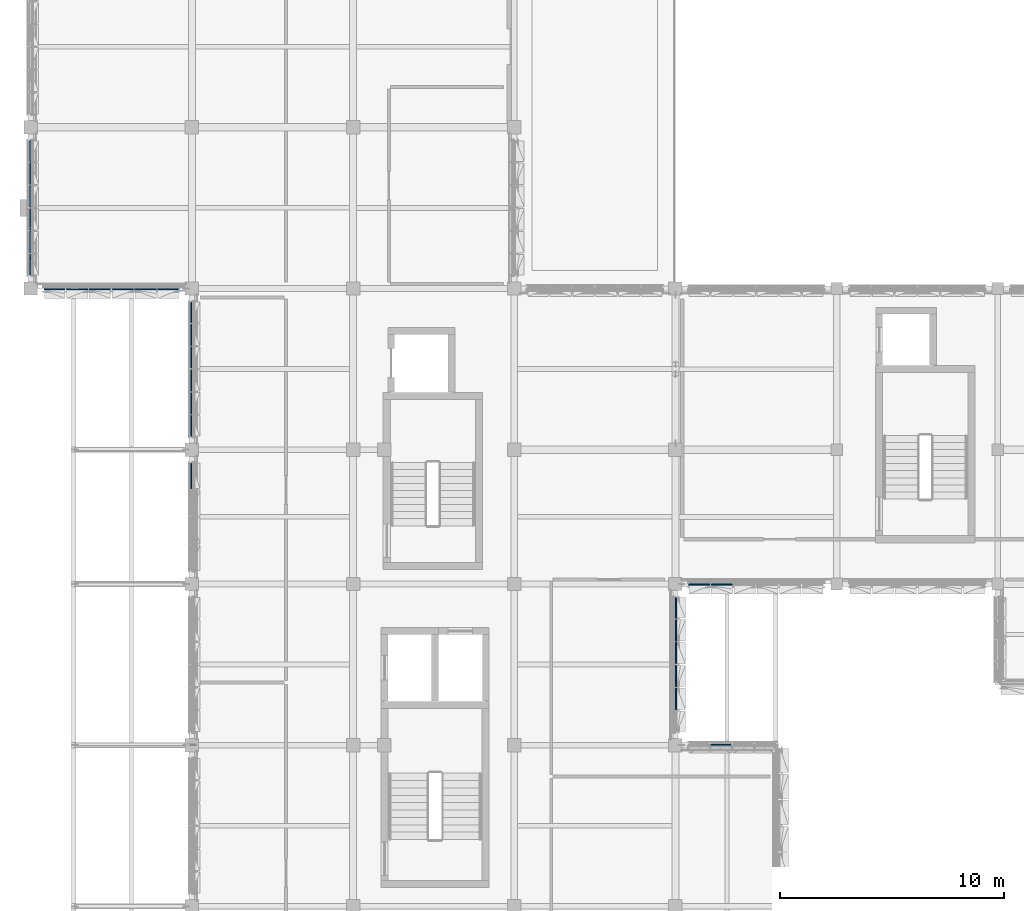
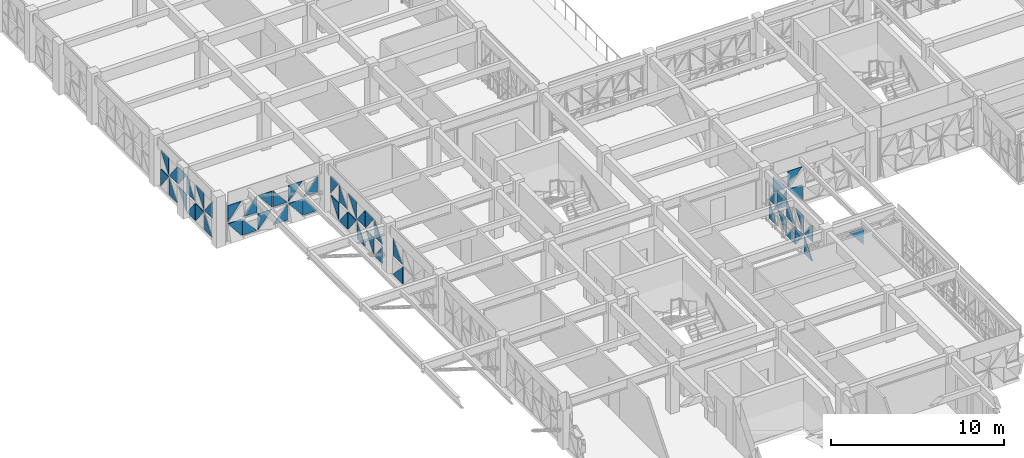
# One storey, part 36 of 99: 53 plates, 7 elements without a shape of their own.
"""IFC4 building model written with IfcOpenShell, lengths in metres."""

from ifc_helpers import new_model, si_unit, direction, frame, origin, place, context, subcontext, project, spatial, polyline, outline, extrude, material, layer, layer_set, type_object, element, aggregate, save


model = new_model("IFC4")

# Units and contexts
model_context = context("Model", 3, precision=1e-05, world=origin(), true_north=direction((0.0, 1.0)))
body_context = subcontext(model_context, "Body", "Model", "MODEL_VIEW")
ifc_project = project(units=[si_unit("LENGTHUNIT", "METRE"), si_unit("AREAUNIT", "SQUARE_METRE"), si_unit("VOLUMEUNIT", "CUBIC_METRE"), si_unit("PLANEANGLEUNIT", "RADIAN"), si_unit("MASSUNIT", "GRAM", prefix="KILO")], contexts=[model_context])

# Site, building, storey
site_placement = place(None, origin())
site = spatial("IfcSite", under=ifc_project, at=site_placement, CompositionType="ELEMENT")
building_placement = place(site_placement, origin())
building = spatial("IfcBuilding", under=site, at=building_placement, Name="Alvorim Cloister Faculty of Sciences", CompositionType="ELEMENT")
storey_placement = place(building_placement, frame((0.0, 0.0, 12.14990234375)))
storey = spatial("IfcBuildingStorey", under=building, at=storey_placement, Name="L03", CompositionType="ELEMENT", Elevation=12.14990234375)

# Curtain wall, plates
ifc_material_1 = material(Name="Aluminium and Low-E Glass Curtain Wall", Category="aluminium")
curtain_wall_type_1 = type_object("IfcCurtainWallType", Name="CW-TRI-4920x2850", PredefinedType="USERDEFINED", material=ifc_material_1)
curtain_wall_1_placement = place(storey_placement, origin())
curtain_wall_1 = element("IfcCurtainWall", 1, at=curtain_wall_1_placement, inside=storey, type_object=curtain_wall_type_1, Name="L03 Diagonal Cassette Curtain Wall CW-0103", ObjectType="UNITISED CURTAIN WALL", PredefinedType="USERDEFINED")
ifc_material_2 = material(Name="Double Low-E Laminated Glass", Category="glass")
ifc_layer = layer(ifc_material_2, 0.0400390625)
ifc_layer_set = layer_set([ifc_layer], Name="Double Low-E Laminated Glass")
plate_type = type_object("IfcPlateType", Name="PN-GLZ-40", PredefinedType="CURTAIN_PANEL", material=ifc_layer_set)
plate_1_placement = place(storey_placement, frame((7.175048828125, 47.46240234375, 0.14013671875), z_axis=(0.0, 0.0, 1.0), x_axis=(0.0, 1.0, 0.0)))
plate_1 = element("IfcPlate", 2, at=plate_1_placement, type_object=plate_type, Name="Diagonal Glazed Triangle TRI-BL", PredefinedType="CURTAIN_PANEL", context=body_context, shape_type="SweptSolid", body=[
    extrude(outline(polyline([(0.0, 0.0), (1.130615234375, 0.0), (0.0, 1.212890625), (0.0, 0.0)])), frame((0.0, 0.02490234375, 0.0), z_axis=(0.0, -1.0, 0.0), x_axis=(1.0, 0.0, 0.0)), (0.0, 0.0, 1.0), 0.050048828125),
])
plate_2_placement = place(storey_placement, frame((7.175048828125, 47.46240234375, 1.4951171875), z_axis=(0.0, 0.0, 1.0), x_axis=(0.0, 1.0, 0.0)))
plate_2 = element("IfcPlate", 3, at=plate_2_placement, type_object=plate_type, Name="Diagonal Glazed Triangle TRI-BR", PredefinedType="CURTAIN_PANEL", context=body_context, shape_type="SweptSolid", body=[
    extrude(outline(polyline([(0.001953125, 0.0), (1.132568359375, 0.0), (1.132568359375, 1.213134765625), (0.001953125, 0.0)])), frame((0.0, 0.02490234375, 0.0), z_axis=(0.0, -1.0, 0.0), x_axis=(1.0, 0.0, 0.0)), (0.0, 0.0, 1.0), 0.050048828125),
])
aggregate(curtain_wall_1, [plate_1, plate_2])

curtain_wall_type_2 = type_object("IfcCurtainWallType", Name="CW-TRI-6120x2850", PredefinedType="USERDEFINED", material=ifc_material_1)
curtain_wall_2_placement = place(storey_placement, origin())
curtain_wall_2 = element("IfcCurtainWall", 4, at=curtain_wall_2_placement, inside=storey, type_object=curtain_wall_type_2, Name="L03 Diagonal Cassette Curtain Wall CW-0104", ObjectType="UNITISED CURTAIN WALL", PredefinedType="USERDEFINED")
plate_3_placement = place(storey_placement, frame((7.175048828125, 49.804931640625, 0.14013671875), z_axis=(0.0, 0.0, 1.0), x_axis=(0.0, 1.0, 0.0)))
plate_3 = element("IfcPlate", 5, at=plate_3_placement, type_object=plate_type, Name="Diagonal Glazed Triangle TRI-BL", PredefinedType="CURTAIN_PANEL", context=body_context, shape_type="SweptSolid", body=[
    extrude(outline(polyline([(0.0, 0.0), (0.920654296875, 0.0), (0.0, 1.212890625), (0.0, 0.0)])), frame((0.0, 0.02490234375, 0.0), z_axis=(0.0, -1.0, 0.0), x_axis=(1.0, 0.0, 0.0)), (0.0, 0.0, 1.0), 0.050048828125),
])
plate_4_placement = place(storey_placement, frame((7.175048828125, 49.804931640625, 1.4951171875), z_axis=(0.0, 0.0, 1.0), x_axis=(0.0, 1.0, 0.0)))
plate_4 = element("IfcPlate", 6, at=plate_4_placement, type_object=plate_type, Name="Diagonal Glazed Triangle TRI-BR", PredefinedType="CURTAIN_PANEL", context=body_context, shape_type="SweptSolid", body=[
    extrude(outline(polyline([(0.001953125, 0.0), (0.922607421875, 0.0), (0.922607421875, 1.213134765625), (0.001953125, 0.0)])), frame((0.0, 0.02490234375, 0.0), z_axis=(0.0, -1.0, 0.0), x_axis=(1.0, 0.0, 0.0)), (0.0, 0.0, 1.0), 0.050048828125),
])
plate_5_placement = place(storey_placement, frame((7.175048828125, 50.79248046875, 0.14013671875), z_axis=(0.0, 0.0, 1.0), x_axis=(0.0, 1.0, 0.0)))
plate_5 = element("IfcPlate", 7, at=plate_5_placement, type_object=plate_type, Name="Diagonal Glazed Triangle TRI-TL", PredefinedType="CURTAIN_PANEL", context=body_context, shape_type="SweptSolid", body=[
    extrude(outline(polyline([(0.953125, 1.21484375), (0.0, 1.21484375), (0.0, 0.001953125), (0.953125, 1.21484375)])), frame((0.0, 0.02490234375, 0.0), z_axis=(0.0, -1.0, 0.0), x_axis=(1.0, 0.0, 0.0)), (0.0, 0.0, 1.0), 0.050048828125),
])
plate_6_placement = place(storey_placement, frame((7.175048828125, 50.79248046875, 1.4951171875), z_axis=(0.0, 0.0, 1.0), x_axis=(0.0, 1.0, 0.0)))
plate_6 = element("IfcPlate", 8, at=plate_6_placement, type_object=plate_type, Name="Diagonal Glazed Triangle TRI-TR", PredefinedType="CURTAIN_PANEL", context=body_context, shape_type="SweptSolid", body=[
    extrude(outline(polyline([(0.955078125, 0.001953125), (0.955078125, 1.215087890625), (0.001953125, 1.215087890625), (0.955078125, 0.001953125)])), frame((0.0, 0.02490234375, 0.0), z_axis=(0.0, -1.0, 0.0), x_axis=(1.0, 0.0, 0.0)), (0.0, 0.0, 1.0), 0.050048828125),
])
plate_7_placement = place(storey_placement, frame((7.175048828125, 51.8125, 0.14013671875), z_axis=(0.0, 0.0, 1.0), x_axis=(0.0, 1.0, 0.0)))
plate_7 = element("IfcPlate", 9, at=plate_7_placement, type_object=plate_type, Name="Diagonal Glazed Triangle TRI-BR", PredefinedType="CURTAIN_PANEL", context=body_context, shape_type="SweptSolid", body=[
    extrude(outline(polyline([(0.001953125, 0.0), (0.955078125, 0.0), (0.955078125, 1.212890625), (0.001953125, 0.0)])), frame((0.0, 0.02490234375, 0.0), z_axis=(0.0, -1.0, 0.0), x_axis=(1.0, 0.0, 0.0)), (0.0, 0.0, 1.0), 0.050048828125),
])
plate_8_placement = place(storey_placement, frame((7.175048828125, 51.8125, 1.4951171875), z_axis=(0.0, 0.0, 1.0), x_axis=(0.0, 1.0, 0.0)))
plate_8 = element("IfcPlate", 10, at=plate_8_placement, type_object=plate_type, Name="Diagonal Glazed Triangle TRI-BL", PredefinedType="CURTAIN_PANEL", context=body_context, shape_type="SweptSolid", body=[
    extrude(outline(polyline([(0.0, 0.0), (0.953125, 0.0), (0.0, 1.213134765625), (0.0, 0.0)])), frame((0.0, 0.02490234375, 0.0), z_axis=(0.0, -1.0, 0.0), x_axis=(1.0, 0.0, 0.0)), (0.0, 0.0, 1.0), 0.050048828125),
])
plate_9_placement = place(storey_placement, frame((7.175048828125, 52.83251953125, 0.14013671875), z_axis=(0.0, 0.0, 1.0), x_axis=(0.0, 1.0, 0.0)))
plate_9 = element("IfcPlate", 11, at=plate_9_placement, type_object=plate_type, Name="Diagonal Glazed Triangle TRI-TR", PredefinedType="CURTAIN_PANEL", context=body_context, shape_type="SweptSolid", body=[
    extrude(outline(polyline([(0.955078125, 0.001953125), (0.955078125, 1.21484375), (0.001953125, 1.21484375), (0.955078125, 0.001953125)])), frame((0.0, 0.02490234375, 0.0), z_axis=(0.0, -1.0, 0.0), x_axis=(1.0, 0.0, 0.0)), (0.0, 0.0, 1.0), 0.050048828125),
])
plate_10_placement = place(storey_placement, frame((7.175048828125, 52.83251953125, 1.4951171875), z_axis=(0.0, 0.0, 1.0), x_axis=(0.0, 1.0, 0.0)))
plate_10 = element("IfcPlate", 12, at=plate_10_placement, type_object=plate_type, Name="Diagonal Glazed Triangle TRI-TL", PredefinedType="CURTAIN_PANEL", context=body_context, shape_type="SweptSolid", body=[
    extrude(outline(polyline([(0.953125, 1.215087890625), (0.0, 1.215087890625), (0.0, 0.001953125), (0.953125, 1.215087890625)])), frame((0.0, 0.02490234375, 0.0), z_axis=(0.0, -1.0, 0.0), x_axis=(1.0, 0.0, 0.0)), (0.0, 0.0, 1.0), 0.050048828125),
])
plate_11_placement = place(storey_placement, frame((7.175048828125, 53.8525390625, 0.14013671875), z_axis=(0.0, 0.0, 1.0), x_axis=(0.0, 1.0, 0.0)))
plate_11 = element("IfcPlate", 13, at=plate_11_placement, type_object=plate_type, Name="Diagonal Glazed Triangle TRI-BL", PredefinedType="CURTAIN_PANEL", context=body_context, shape_type="SweptSolid", body=[
    extrude(outline(polyline([(0.0, 0.0), (0.953125, 0.0), (0.0, 1.212890625), (0.0, 0.0)])), frame((0.0, 0.02490234375, 0.0), z_axis=(0.0, -1.0, 0.0), x_axis=(1.0, 0.0, 0.0)), (0.0, 0.0, 1.0), 0.050048828125),
])
plate_12_placement = place(storey_placement, frame((7.175048828125, 53.8525390625, 1.4951171875), z_axis=(0.0, 0.0, 1.0), x_axis=(0.0, 1.0, 0.0)))
plate_12 = element("IfcPlate", 14, at=plate_12_placement, type_object=plate_type, Name="Diagonal Glazed Triangle TRI-BR", PredefinedType="CURTAIN_PANEL", context=body_context, shape_type="SweptSolid", body=[
    extrude(outline(polyline([(0.001953125, 0.0), (0.955078125, 0.0), (0.955078125, 1.213134765625), (0.001953125, 0.0)])), frame((0.0, 0.02490234375, 0.0), z_axis=(0.0, -1.0, 0.0), x_axis=(1.0, 0.0, 0.0)), (0.0, 0.0, 1.0), 0.050048828125),
])
plate_13_placement = place(storey_placement, frame((7.175048828125, 54.87255859375, 0.14013671875), z_axis=(0.0, 0.0, 1.0), x_axis=(0.0, 1.0, 0.0)))
plate_13 = element("IfcPlate", 15, at=plate_13_placement, type_object=plate_type, Name="Diagonal Glazed Triangle TRI-TL", PredefinedType="CURTAIN_PANEL", context=body_context, shape_type="SweptSolid", body=[
    extrude(outline(polyline([(0.920654296875, 1.21484375), (0.0, 1.21484375), (0.0, 0.001953125), (0.920654296875, 1.21484375)])), frame((0.0, 0.02490234375, 0.0), z_axis=(0.0, -1.0, 0.0), x_axis=(1.0, 0.0, 0.0)), (0.0, 0.0, 1.0), 0.050048828125),
])
plate_14_placement = place(storey_placement, frame((7.175048828125, 54.87255859375, 1.4951171875), z_axis=(0.0, 0.0, 1.0), x_axis=(0.0, 1.0, 0.0)))
plate_14 = element("IfcPlate", 16, at=plate_14_placement, type_object=plate_type, Name="Diagonal Glazed Triangle TRI-TR", PredefinedType="CURTAIN_PANEL", context=body_context, shape_type="SweptSolid", body=[
    extrude(outline(polyline([(0.922607421875, 0.001953125), (0.922607421875, 1.215087890625), (0.001953125, 1.215087890625), (0.922607421875, 0.001953125)])), frame((0.0, 0.02490234375, 0.0), z_axis=(0.0, -1.0, 0.0), x_axis=(1.0, 0.0, 0.0)), (0.0, 0.0, 1.0), 0.050048828125),
])
aggregate(curtain_wall_2, [plate_3, plate_4, plate_5, plate_6, plate_7, plate_8, plate_9, plate_10, plate_11, plate_12, plate_13, plate_14])

curtain_wall_type_3 = type_object("IfcCurtainWallType", Name="CW-TRI-6120x2706", PredefinedType="USERDEFINED", material=ifc_material_1)
curtain_wall_3_placement = place(storey_placement, origin())
curtain_wall_3 = element("IfcCurtainWall", 17, at=curtain_wall_3_placement, inside=storey, type_object=curtain_wall_type_3, Name="L03 Diagonal Cassette Curtain Wall CW-0105", ObjectType="UNITISED CURTAIN WALL", PredefinedType="USERDEFINED")
plate_15_placement = place(storey_placement, frame((0.60498046875, 56.375, 0.14013671875), z_axis=(0.0, 0.0, 1.0), x_axis=(1.0, 0.0, 0.0)))
plate_15 = element("IfcPlate", 18, at=plate_15_placement, type_object=plate_type, Name="Diagonal Glazed Triangle TRI-TR", PredefinedType="CURTAIN_PANEL", context=body_context, shape_type="SweptSolid", body=[
    extrude(outline(polyline([(0.922607421875, 0.001953125), (0.922607421875, 1.14306640625), (0.001953125, 1.14306640625), (0.922607421875, 0.001953125)])), frame((0.0, 0.02490234375, 0.0), z_axis=(0.0, -1.0, 0.0), x_axis=(1.0, 0.0, 0.0)), (0.0, 0.0, 1.0), 0.050048828125),
])
plate_16_placement = place(storey_placement, frame((0.60498046875, 56.375, 1.423095703125), z_axis=(0.0, 0.0, 1.0), x_axis=(1.0, 0.0, 0.0)))
plate_16 = element("IfcPlate", 19, at=plate_16_placement, type_object=plate_type, Name="Diagonal Glazed Triangle TRI-TL", PredefinedType="CURTAIN_PANEL", context=body_context, shape_type="SweptSolid", body=[
    extrude(outline(polyline([(0.920654296875, 1.14306640625), (0.0, 1.14306640625), (0.0, 0.001953125), (0.920654296875, 1.14306640625)])), frame((0.0, 0.02490234375, 0.0), z_axis=(0.0, -1.0, 0.0), x_axis=(1.0, 0.0, 0.0)), (0.0, 0.0, 1.0), 0.050048828125),
])
plate_17_placement = place(storey_placement, frame((1.592529296875, 56.375, 0.14013671875), z_axis=(0.0, 0.0, 1.0), x_axis=(1.0, 0.0, 0.0)))
plate_17 = element("IfcPlate", 20, at=plate_17_placement, type_object=plate_type, Name="Diagonal Glazed Triangle TRI-BL", PredefinedType="CURTAIN_PANEL", context=body_context, shape_type="SweptSolid", body=[
    extrude(outline(polyline([(0.0, 0.0), (0.953125, 0.0), (0.0, 1.14111328125), (0.0, 0.0)])), frame((0.0, 0.02490234375, 0.0), z_axis=(0.0, -1.0, 0.0), x_axis=(1.0, 0.0, 0.0)), (0.0, 0.0, 1.0), 0.050048828125),
])
plate_18_placement = place(storey_placement, frame((1.592529296875, 56.375, 1.423095703125), z_axis=(0.0, 0.0, 1.0), x_axis=(1.0, 0.0, 0.0)))
plate_18 = element("IfcPlate", 21, at=plate_18_placement, type_object=plate_type, Name="Diagonal Glazed Triangle TRI-BR", PredefinedType="CURTAIN_PANEL", context=body_context, shape_type="SweptSolid", body=[
    extrude(outline(polyline([(0.001953125, 0.0), (0.955078125, 0.0), (0.955078125, 1.14111328125), (0.001953125, 0.0)])), frame((0.0, 0.02490234375, 0.0), z_axis=(0.0, -1.0, 0.0), x_axis=(1.0, 0.0, 0.0)), (0.0, 0.0, 1.0), 0.050048828125),
])
plate_19_placement = place(storey_placement, frame((2.612548828125, 56.375, 0.14013671875), z_axis=(0.0, 0.0, 1.0), x_axis=(1.0, 0.0, 0.0)))
plate_19 = element("IfcPlate", 22, at=plate_19_placement, type_object=plate_type, Name="Diagonal Glazed Triangle TRI-TL", PredefinedType="CURTAIN_PANEL", context=body_context, shape_type="SweptSolid", body=[
    extrude(outline(polyline([(0.953125, 1.14306640625), (0.0, 1.14306640625), (0.0, 0.001953125), (0.953125, 1.14306640625)])), frame((0.0, 0.02490234375, 0.0), z_axis=(0.0, -1.0, 0.0), x_axis=(1.0, 0.0, 0.0)), (0.0, 0.0, 1.0), 0.050048828125),
])
plate_20_placement = place(storey_placement, frame((2.612548828125, 56.375, 1.423095703125), z_axis=(0.0, 0.0, 1.0), x_axis=(1.0, 0.0, 0.0)))
plate_20 = element("IfcPlate", 23, at=plate_20_placement, type_object=plate_type, Name="Diagonal Glazed Triangle TRI-TR", PredefinedType="CURTAIN_PANEL", context=body_context, shape_type="SweptSolid", body=[
    extrude(outline(polyline([(0.955078125, 0.001953125), (0.955078125, 1.14306640625), (0.001953125, 1.14306640625), (0.955078125, 0.001953125)])), frame((0.0, 0.02490234375, 0.0), z_axis=(0.0, -1.0, 0.0), x_axis=(1.0, 0.0, 0.0)), (0.0, 0.0, 1.0), 0.050048828125),
])
plate_21_placement = place(storey_placement, frame((3.632568359375, 56.375, 0.14013671875), z_axis=(0.0, 0.0, 1.0), x_axis=(1.0, 0.0, 0.0)))
plate_21 = element("IfcPlate", 24, at=plate_21_placement, type_object=plate_type, Name="Diagonal Glazed Triangle TRI-BR", PredefinedType="CURTAIN_PANEL", context=body_context, shape_type="SweptSolid", body=[
    extrude(outline(polyline([(0.001953125, 0.0), (0.955078125, 0.0), (0.955078125, 1.14111328125), (0.001953125, 0.0)])), frame((0.0, 0.02490234375, 0.0), z_axis=(0.0, -1.0, 0.0), x_axis=(1.0, 0.0, 0.0)), (0.0, 0.0, 1.0), 0.050048828125),
])
plate_22_placement = place(storey_placement, frame((3.632568359375, 56.375, 1.423095703125), z_axis=(0.0, 0.0, 1.0), x_axis=(1.0, 0.0, 0.0)))
plate_22 = element("IfcPlate", 25, at=plate_22_placement, type_object=plate_type, Name="Diagonal Glazed Triangle TRI-BL", PredefinedType="CURTAIN_PANEL", context=body_context, shape_type="SweptSolid", body=[
    extrude(outline(polyline([(0.0, 0.0), (0.953125, 0.0), (0.0, 1.14111328125), (0.0, 0.0)])), frame((0.0, 0.02490234375, 0.0), z_axis=(0.0, -1.0, 0.0), x_axis=(1.0, 0.0, 0.0)), (0.0, 0.0, 1.0), 0.050048828125),
])
plate_23_placement = place(storey_placement, frame((4.652587890625, 56.375, 0.14013671875), z_axis=(0.0, 0.0, 1.0), x_axis=(1.0, 0.0, 0.0)))
plate_23 = element("IfcPlate", 26, at=plate_23_placement, type_object=plate_type, Name="Diagonal Glazed Triangle TRI-TR", PredefinedType="CURTAIN_PANEL", context=body_context, shape_type="SweptSolid", body=[
    extrude(outline(polyline([(0.955078125, 0.001953125), (0.955078125, 1.14306640625), (0.001953125, 1.14306640625), (0.955078125, 0.001953125)])), frame((0.0, 0.02490234375, 0.0), z_axis=(0.0, -1.0, 0.0), x_axis=(1.0, 0.0, 0.0)), (0.0, 0.0, 1.0), 0.050048828125),
])
plate_24_placement = place(storey_placement, frame((4.652587890625, 56.375, 1.423095703125), z_axis=(0.0, 0.0, 1.0), x_axis=(1.0, 0.0, 0.0)))
plate_24 = element("IfcPlate", 27, at=plate_24_placement, type_object=plate_type, Name="Diagonal Glazed Triangle TRI-TL", PredefinedType="CURTAIN_PANEL", context=body_context, shape_type="SweptSolid", body=[
    extrude(outline(polyline([(0.953125, 1.14306640625), (0.0, 1.14306640625), (0.0, 0.001953125), (0.953125, 1.14306640625)])), frame((0.0, 0.02490234375, 0.0), z_axis=(0.0, -1.0, 0.0), x_axis=(1.0, 0.0, 0.0)), (0.0, 0.0, 1.0), 0.050048828125),
])
plate_25_placement = place(storey_placement, frame((5.672607421875, 56.375, 0.14013671875), z_axis=(0.0, 0.0, 1.0), x_axis=(1.0, 0.0, 0.0)))
plate_25 = element("IfcPlate", 28, at=plate_25_placement, type_object=plate_type, Name="Diagonal Glazed Triangle TRI-BL", PredefinedType="CURTAIN_PANEL", context=body_context, shape_type="SweptSolid", body=[
    extrude(outline(polyline([(0.0, 0.0), (0.920654296875, 0.0), (0.0, 1.14111328125), (0.0, 0.0)])), frame((0.0, 0.02490234375, 0.0), z_axis=(0.0, -1.0, 0.0), x_axis=(1.0, 0.0, 0.0)), (0.0, 0.0, 1.0), 0.050048828125),
])
plate_26_placement = place(storey_placement, frame((5.672607421875, 56.375, 1.423095703125), z_axis=(0.0, 0.0, 1.0), x_axis=(1.0, 0.0, 0.0)))
plate_26 = element("IfcPlate", 29, at=plate_26_placement, type_object=plate_type, Name="Diagonal Glazed Triangle TRI-BR", PredefinedType="CURTAIN_PANEL", context=body_context, shape_type="SweptSolid", body=[
    extrude(outline(polyline([(0.001953125, 0.0), (0.922607421875, 0.0), (0.922607421875, 1.14111328125), (0.001953125, 0.0)])), frame((0.0, 0.02490234375, 0.0), z_axis=(0.0, -1.0, 0.0), x_axis=(1.0, 0.0, 0.0)), (0.0, 0.0, 1.0), 0.050048828125),
])
aggregate(curtain_wall_3, [plate_15, plate_16, plate_17, plate_18, plate_19, plate_20, plate_21, plate_22, plate_23, plate_24, plate_25, plate_26])

curtain_wall_4_placement = place(storey_placement, origin())
curtain_wall_4 = element("IfcCurtainWall", 30, at=curtain_wall_4_placement, inside=storey, type_object=curtain_wall_type_2, Name="L03 Diagonal Cassette Curtain Wall CW-0106", ObjectType="UNITISED CURTAIN WALL", PredefinedType="USERDEFINED")
plate_27_placement = place(storey_placement, frame((-0.02490234375, 57.0048828125, 0.14013671875), z_axis=(0.0, 0.0, 1.0), x_axis=(0.0, 1.0, 0.0)))
plate_27 = element("IfcPlate", 31, at=plate_27_placement, type_object=plate_type, Name="Diagonal Glazed Triangle TRI-BR", PredefinedType="CURTAIN_PANEL", context=body_context, shape_type="SweptSolid", body=[
    extrude(outline(polyline([(0.001953125, 0.0), (0.922607421875, 0.0), (0.922607421875, 1.212890625), (0.001953125, 0.0)])), frame((0.0, 0.02490234375, 0.0), z_axis=(0.0, -1.0, 0.0), x_axis=(1.0, 0.0, 0.0)), (0.0, 0.0, 1.0), 0.050048828125),
])
plate_28_placement = place(storey_placement, frame((-0.02490234375, 57.0048828125, 1.4951171875), z_axis=(0.0, 0.0, 1.0), x_axis=(0.0, 1.0, 0.0)))
plate_28 = element("IfcPlate", 32, at=plate_28_placement, type_object=plate_type, Name="Diagonal Glazed Triangle TRI-BL", PredefinedType="CURTAIN_PANEL", context=body_context, shape_type="SweptSolid", body=[
    extrude(outline(polyline([(0.0, 0.0), (0.920654296875, 0.0), (0.0, 1.213134765625), (0.0, 0.0)])), frame((0.0, 0.02490234375, 0.0), z_axis=(0.0, -1.0, 0.0), x_axis=(1.0, 0.0, 0.0)), (0.0, 0.0, 1.0), 0.050048828125),
])
plate_29_placement = place(storey_placement, frame((-0.02490234375, 57.992431640625, 0.14013671875), z_axis=(0.0, 0.0, 1.0), x_axis=(0.0, 1.0, 0.0)))
plate_29 = element("IfcPlate", 33, at=plate_29_placement, type_object=plate_type, Name="Diagonal Glazed Triangle TRI-TR", PredefinedType="CURTAIN_PANEL", context=body_context, shape_type="SweptSolid", body=[
    extrude(outline(polyline([(0.955078125, 0.001953125), (0.955078125, 1.21484375), (0.001953125, 1.21484375), (0.955078125, 0.001953125)])), frame((0.0, 0.02490234375, 0.0), z_axis=(0.0, -1.0, 0.0), x_axis=(1.0, 0.0, 0.0)), (0.0, 0.0, 1.0), 0.050048828125),
])
plate_30_placement = place(storey_placement, frame((-0.02490234375, 57.992431640625, 1.4951171875), z_axis=(0.0, 0.0, 1.0), x_axis=(0.0, 1.0, 0.0)))
plate_30 = element("IfcPlate", 34, at=plate_30_placement, type_object=plate_type, Name="Diagonal Glazed Triangle TRI-TL", PredefinedType="CURTAIN_PANEL", context=body_context, shape_type="SweptSolid", body=[
    extrude(outline(polyline([(0.953125, 1.215087890625), (0.0, 1.215087890625), (0.0, 0.001953125), (0.953125, 1.215087890625)])), frame((0.0, 0.02490234375, 0.0), z_axis=(0.0, -1.0, 0.0), x_axis=(1.0, 0.0, 0.0)), (0.0, 0.0, 1.0), 0.050048828125),
])
plate_31_placement = place(storey_placement, frame((-0.02490234375, 59.012451171875, 0.14013671875), z_axis=(0.0, 0.0, 1.0), x_axis=(0.0, 1.0, 0.0)))
plate_31 = element("IfcPlate", 35, at=plate_31_placement, type_object=plate_type, Name="Diagonal Glazed Triangle TRI-BL", PredefinedType="CURTAIN_PANEL", context=body_context, shape_type="SweptSolid", body=[
    extrude(outline(polyline([(0.0, 0.0), (0.953125, 0.0), (0.0, 1.212890625), (0.0, 0.0)])), frame((0.0, 0.02490234375, 0.0), z_axis=(0.0, -1.0, 0.0), x_axis=(1.0, 0.0, 0.0)), (0.0, 0.0, 1.0), 0.050048828125),
])
plate_32_placement = place(storey_placement, frame((-0.02490234375, 59.012451171875, 1.4951171875), z_axis=(0.0, 0.0, 1.0), x_axis=(0.0, 1.0, 0.0)))
plate_32 = element("IfcPlate", 36, at=plate_32_placement, type_object=plate_type, Name="Diagonal Glazed Triangle TRI-BR", PredefinedType="CURTAIN_PANEL", context=body_context, shape_type="SweptSolid", body=[
    extrude(outline(polyline([(0.001953125, 0.0), (0.955078125, 0.0), (0.955078125, 1.213134765625), (0.001953125, 0.0)])), frame((0.0, 0.02490234375, 0.0), z_axis=(0.0, -1.0, 0.0), x_axis=(1.0, 0.0, 0.0)), (0.0, 0.0, 1.0), 0.050048828125),
])
plate_33_placement = place(storey_placement, frame((-0.02490234375, 60.032470703125, 0.14013671875), z_axis=(0.0, 0.0, 1.0), x_axis=(0.0, 1.0, 0.0)))
plate_33 = element("IfcPlate", 37, at=plate_33_placement, type_object=plate_type, Name="Diagonal Glazed Triangle TRI-TL", PredefinedType="CURTAIN_PANEL", context=body_context, shape_type="SweptSolid", body=[
    extrude(outline(polyline([(0.953125, 1.21484375), (0.0, 1.21484375), (0.0, 0.001953125), (0.953125, 1.21484375)])), frame((0.0, 0.02490234375, 0.0), z_axis=(0.0, -1.0, 0.0), x_axis=(1.0, 0.0, 0.0)), (0.0, 0.0, 1.0), 0.050048828125),
])
plate_34_placement = place(storey_placement, frame((-0.02490234375, 60.032470703125, 1.4951171875), z_axis=(0.0, 0.0, 1.0), x_axis=(0.0, 1.0, 0.0)))
plate_34 = element("IfcPlate", 38, at=plate_34_placement, type_object=plate_type, Name="Diagonal Glazed Triangle TRI-TR", PredefinedType="CURTAIN_PANEL", context=body_context, shape_type="SweptSolid", body=[
    extrude(outline(polyline([(0.955078125, 0.001953125), (0.955078125, 1.215087890625), (0.001953125, 1.215087890625), (0.955078125, 0.001953125)])), frame((0.0, 0.02490234375, 0.0), z_axis=(0.0, -1.0, 0.0), x_axis=(1.0, 0.0, 0.0)), (0.0, 0.0, 1.0), 0.050048828125),
])
plate_35_placement = place(storey_placement, frame((-0.02490234375, 61.052490234375, 0.14013671875), z_axis=(0.0, 0.0, 1.0), x_axis=(0.0, 1.0, 0.0)))
plate_35 = element("IfcPlate", 39, at=plate_35_placement, type_object=plate_type, Name="Diagonal Glazed Triangle TRI-BR", PredefinedType="CURTAIN_PANEL", context=body_context, shape_type="SweptSolid", body=[
    extrude(outline(polyline([(0.001953125, 0.0), (0.955078125, 0.0), (0.955078125, 1.212890625), (0.001953125, 0.0)])), frame((0.0, 0.02490234375, 0.0), z_axis=(0.0, -1.0, 0.0), x_axis=(1.0, 0.0, 0.0)), (0.0, 0.0, 1.0), 0.050048828125),
])
plate_36_placement = place(storey_placement, frame((-0.02490234375, 61.052490234375, 1.4951171875), z_axis=(0.0, 0.0, 1.0), x_axis=(0.0, 1.0, 0.0)))
plate_36 = element("IfcPlate", 40, at=plate_36_placement, type_object=plate_type, Name="Diagonal Glazed Triangle TRI-BL", PredefinedType="CURTAIN_PANEL", context=body_context, shape_type="SweptSolid", body=[
    extrude(outline(polyline([(0.0, 0.0), (0.953125, 0.0), (0.0, 1.213134765625), (0.0, 0.0)])), frame((0.0, 0.02490234375, 0.0), z_axis=(0.0, -1.0, 0.0), x_axis=(1.0, 0.0, 0.0)), (0.0, 0.0, 1.0), 0.050048828125),
])
plate_37_placement = place(storey_placement, frame((-0.02490234375, 62.072509765625, 0.14013671875), z_axis=(0.0, 0.0, 1.0), x_axis=(0.0, 1.0, 0.0)))
plate_37 = element("IfcPlate", 41, at=plate_37_placement, type_object=plate_type, Name="Diagonal Glazed Triangle TRI-TR", PredefinedType="CURTAIN_PANEL", context=body_context, shape_type="SweptSolid", body=[
    extrude(outline(polyline([(0.922607421875, 0.001953125), (0.922607421875, 1.21484375), (0.001953125, 1.21484375), (0.922607421875, 0.001953125)])), frame((0.0, 0.02490234375, 0.0), z_axis=(0.0, -1.0, 0.0), x_axis=(1.0, 0.0, 0.0)), (0.0, 0.0, 1.0), 0.050048828125),
])
plate_38_placement = place(storey_placement, frame((-0.02490234375, 62.072509765625, 1.4951171875), z_axis=(0.0, 0.0, 1.0), x_axis=(0.0, 1.0, 0.0)))
plate_38 = element("IfcPlate", 42, at=plate_38_placement, type_object=plate_type, Name="Diagonal Glazed Triangle TRI-TL", PredefinedType="CURTAIN_PANEL", context=body_context, shape_type="SweptSolid", body=[
    extrude(outline(polyline([(0.920654296875, 1.215087890625), (0.0, 1.215087890625), (0.0, 0.001953125), (0.920654296875, 1.215087890625)])), frame((0.0, 0.02490234375, 0.0), z_axis=(0.0, -1.0, 0.0), x_axis=(1.0, 0.0, 0.0)), (0.0, 0.0, 1.0), 0.050048828125),
])
aggregate(curtain_wall_4, [plate_27, plate_28, plate_29, plate_30, plate_31, plate_32, plate_33, plate_34, plate_35, plate_36, plate_37, plate_38])

curtain_wall_5_placement = place(storey_placement, origin())
curtain_wall_5 = element("IfcCurtainWall", 43, at=curtain_wall_5_placement, inside=storey, type_object=curtain_wall_type_3, Name="L03 Diagonal Cassette Curtain Wall CW-0138", ObjectType="UNITISED CURTAIN WALL", PredefinedType="USERDEFINED")
plate_39_placement = place(storey_placement, frame((29.405029296875, 43.175048828125, 0.14013671875), z_axis=(0.0, 0.0, 1.0), x_axis=(1.0, 0.0, 0.0)))
plate_39 = element("IfcPlate", 44, at=plate_39_placement, type_object=plate_type, Name="Diagonal Glazed Triangle TRI-BR", PredefinedType="CURTAIN_PANEL", context=body_context, shape_type="SweptSolid", body=[
    extrude(outline(polyline([(0.001953125, 0.0), (0.922607421875, 0.0), (0.922607421875, 1.14111328125), (0.001953125, 0.0)])), frame((0.0, 0.02490234375, 0.0), z_axis=(0.0, -1.0, 0.0), x_axis=(1.0, 0.0, 0.0)), (0.0, 0.0, 1.0), 0.050048828125),
])
plate_40_placement = place(storey_placement, frame((29.405029296875, 43.175048828125, 1.423095703125), z_axis=(0.0, 0.0, 1.0), x_axis=(1.0, 0.0, 0.0)))
plate_40 = element("IfcPlate", 45, at=plate_40_placement, type_object=plate_type, Name="Diagonal Glazed Triangle TRI-BL", PredefinedType="CURTAIN_PANEL", context=body_context, shape_type="SweptSolid", body=[
    extrude(outline(polyline([(0.0, 0.0), (0.920654296875, 0.0), (0.0, 1.14111328125), (0.0, 0.0)])), frame((0.0, 0.02490234375, 0.0), z_axis=(0.0, -1.0, 0.0), x_axis=(1.0, 0.0, 0.0)), (0.0, 0.0, 1.0), 0.050048828125),
])
plate_41_placement = place(storey_placement, frame((30.392578125, 43.175048828125, 0.14013671875), z_axis=(0.0, 0.0, 1.0), x_axis=(1.0, 0.0, 0.0)))
plate_41 = element("IfcPlate", 46, at=plate_41_placement, type_object=plate_type, Name="Diagonal Glazed Triangle TRI-TR", PredefinedType="CURTAIN_PANEL", context=body_context, shape_type="SweptSolid", body=[
    extrude(outline(polyline([(0.955078125, 0.001953125), (0.955078125, 1.14306640625), (0.001953125, 1.14306640625), (0.955078125, 0.001953125)])), frame((0.0, 0.02490234375, 0.0), z_axis=(0.0, -1.0, 0.0), x_axis=(1.0, 0.0, 0.0)), (0.0, 0.0, 1.0), 0.050048828125),
])
plate_42_placement = place(storey_placement, frame((30.392578125, 43.175048828125, 1.423095703125), z_axis=(0.0, 0.0, 1.0), x_axis=(1.0, 0.0, 0.0)))
plate_42 = element("IfcPlate", 47, at=plate_42_placement, type_object=plate_type, Name="Diagonal Glazed Triangle TRI-TL", PredefinedType="CURTAIN_PANEL", context=body_context, shape_type="SweptSolid", body=[
    extrude(outline(polyline([(0.953125, 1.14306640625), (0.0, 1.14306640625), (0.0, 0.001953125), (0.953125, 1.14306640625)])), frame((0.0, 0.02490234375, 0.0), z_axis=(0.0, -1.0, 0.0), x_axis=(1.0, 0.0, 0.0)), (0.0, 0.0, 1.0), 0.050048828125),
])
aggregate(curtain_wall_5, [plate_39, plate_40, plate_41, plate_42])

curtain_wall_6_placement = place(storey_placement, origin())
curtain_wall_6 = element("IfcCurtainWall", 48, at=curtain_wall_6_placement, inside=storey, type_object=curtain_wall_type_2, Name="L03 Diagonal Cassette Curtain Wall CW-0139", ObjectType="UNITISED CURTAIN WALL", PredefinedType="USERDEFINED")
plate_43_placement = place(storey_placement, frame((28.824951171875, 37.592529296875, 0.14013671875), z_axis=(0.0, 0.0, 1.0), x_axis=(0.0, 1.0, 0.0)))
plate_43 = element("IfcPlate", 49, at=plate_43_placement, type_object=plate_type, Name="Diagonal Glazed Triangle TRI-BR", PredefinedType="CURTAIN_PANEL", context=body_context, shape_type="SweptSolid", body=[
    extrude(outline(polyline([(0.001953125, 0.0), (0.955078125, 0.0), (0.955078125, 1.212890625), (0.001953125, 0.0)])), frame((0.0, 0.02490234375, 0.0), z_axis=(0.0, -1.0, 0.0), x_axis=(1.0, 0.0, 0.0)), (0.0, 0.0, 1.0), 0.050048828125),
])
plate_44_placement = place(storey_placement, frame((28.824951171875, 37.592529296875, 1.4951171875), z_axis=(0.0, 0.0, 1.0), x_axis=(0.0, 1.0, 0.0)))
plate_44 = element("IfcPlate", 50, at=plate_44_placement, type_object=plate_type, Name="Diagonal Glazed Triangle TRI-BL", PredefinedType="CURTAIN_PANEL", context=body_context, shape_type="SweptSolid", body=[
    extrude(outline(polyline([(0.0, 0.0), (0.953125, 0.0), (0.0, 1.213134765625), (0.0, 0.0)])), frame((0.0, 0.02490234375, 0.0), z_axis=(0.0, -1.0, 0.0), x_axis=(1.0, 0.0, 0.0)), (0.0, 0.0, 1.0), 0.050048828125),
])
plate_45_placement = place(storey_placement, frame((28.824951171875, 38.612548828125, 0.14013671875), z_axis=(0.0, 0.0, 1.0), x_axis=(0.0, 1.0, 0.0)))
plate_45 = element("IfcPlate", 51, at=plate_45_placement, type_object=plate_type, Name="Diagonal Glazed Triangle TRI-TR", PredefinedType="CURTAIN_PANEL", context=body_context, shape_type="SweptSolid", body=[
    extrude(outline(polyline([(0.955078125, 0.001953125), (0.955078125, 1.21484375), (0.001953125, 1.21484375), (0.955078125, 0.001953125)])), frame((0.0, 0.02490234375, 0.0), z_axis=(0.0, -1.0, 0.0), x_axis=(1.0, 0.0, 0.0)), (0.0, 0.0, 1.0), 0.050048828125),
])
plate_46_placement = place(storey_placement, frame((28.824951171875, 38.612548828125, 1.4951171875), z_axis=(0.0, 0.0, 1.0), x_axis=(0.0, 1.0, 0.0)))
plate_46 = element("IfcPlate", 52, at=plate_46_placement, type_object=plate_type, Name="Diagonal Glazed Triangle TRI-TL", PredefinedType="CURTAIN_PANEL", context=body_context, shape_type="SweptSolid", body=[
    extrude(outline(polyline([(0.953125, 1.215087890625), (0.0, 1.215087890625), (0.0, 0.001953125), (0.953125, 1.215087890625)])), frame((0.0, 0.02490234375, 0.0), z_axis=(0.0, -1.0, 0.0), x_axis=(1.0, 0.0, 0.0)), (0.0, 0.0, 1.0), 0.050048828125),
])
plate_47_placement = place(storey_placement, frame((28.824951171875, 39.632568359375, 0.14013671875), z_axis=(0.0, 0.0, 1.0), x_axis=(0.0, 1.0, 0.0)))
plate_47 = element("IfcPlate", 53, at=plate_47_placement, type_object=plate_type, Name="Diagonal Glazed Triangle TRI-BL", PredefinedType="CURTAIN_PANEL", context=body_context, shape_type="SweptSolid", body=[
    extrude(outline(polyline([(0.0, 0.0), (0.953125, 0.0), (0.0, 1.212890625), (0.0, 0.0)])), frame((0.0, 0.02490234375, 0.0), z_axis=(0.0, -1.0, 0.0), x_axis=(1.0, 0.0, 0.0)), (0.0, 0.0, 1.0), 0.050048828125),
])
plate_48_placement = place(storey_placement, frame((28.824951171875, 39.632568359375, 1.4951171875), z_axis=(0.0, 0.0, 1.0), x_axis=(0.0, 1.0, 0.0)))
plate_48 = element("IfcPlate", 54, at=plate_48_placement, type_object=plate_type, Name="Diagonal Glazed Triangle TRI-BR", PredefinedType="CURTAIN_PANEL", context=body_context, shape_type="SweptSolid", body=[
    extrude(outline(polyline([(0.001953125, 0.0), (0.955078125, 0.0), (0.955078125, 1.213134765625), (0.001953125, 0.0)])), frame((0.0, 0.02490234375, 0.0), z_axis=(0.0, -1.0, 0.0), x_axis=(1.0, 0.0, 0.0)), (0.0, 0.0, 1.0), 0.050048828125),
])
plate_49_placement = place(storey_placement, frame((28.824951171875, 40.652587890625, 0.14013671875), z_axis=(0.0, 0.0, 1.0), x_axis=(0.0, 1.0, 0.0)))
plate_49 = element("IfcPlate", 55, at=plate_49_placement, type_object=plate_type, Name="Diagonal Glazed Triangle TRI-TL", PredefinedType="CURTAIN_PANEL", context=body_context, shape_type="SweptSolid", body=[
    extrude(outline(polyline([(0.953125, 1.21484375), (0.0, 1.21484375), (0.0, 0.001953125), (0.953125, 1.21484375)])), frame((0.0, 0.02490234375, 0.0), z_axis=(0.0, -1.0, 0.0), x_axis=(1.0, 0.0, 0.0)), (0.0, 0.0, 1.0), 0.050048828125),
])
plate_50_placement = place(storey_placement, frame((28.824951171875, 40.652587890625, 1.4951171875), z_axis=(0.0, 0.0, 1.0), x_axis=(0.0, 1.0, 0.0)))
plate_50 = element("IfcPlate", 56, at=plate_50_placement, type_object=plate_type, Name="Diagonal Glazed Triangle TRI-TR", PredefinedType="CURTAIN_PANEL", context=body_context, shape_type="SweptSolid", body=[
    extrude(outline(polyline([(0.955078125, 0.001953125), (0.955078125, 1.215087890625), (0.001953125, 1.215087890625), (0.955078125, 0.001953125)])), frame((0.0, 0.02490234375, 0.0), z_axis=(0.0, -1.0, 0.0), x_axis=(1.0, 0.0, 0.0)), (0.0, 0.0, 1.0), 0.050048828125),
])
plate_51_placement = place(storey_placement, frame((28.824951171875, 41.672607421875, 0.14013671875), z_axis=(0.0, 0.0, 1.0), x_axis=(0.0, 1.0, 0.0)))
plate_51 = element("IfcPlate", 57, at=plate_51_placement, type_object=plate_type, Name="Diagonal Glazed Triangle TRI-BR", PredefinedType="CURTAIN_PANEL", context=body_context, shape_type="SweptSolid", body=[
    extrude(outline(polyline([(0.001953125, 0.0), (0.922607421875, 0.0), (0.922607421875, 1.212890625), (0.001953125, 0.0)])), frame((0.0, 0.02490234375, 0.0), z_axis=(0.0, -1.0, 0.0), x_axis=(1.0, 0.0, 0.0)), (0.0, 0.0, 1.0), 0.050048828125),
])
plate_52_placement = place(storey_placement, frame((28.824951171875, 41.672607421875, 1.4951171875), z_axis=(0.0, 0.0, 1.0), x_axis=(0.0, 1.0, 0.0)))
plate_52 = element("IfcPlate", 58, at=plate_52_placement, type_object=plate_type, Name="Diagonal Glazed Triangle TRI-BL", PredefinedType="CURTAIN_PANEL", context=body_context, shape_type="SweptSolid", body=[
    extrude(outline(polyline([(0.0, 0.0), (0.920654296875, 0.0), (0.0, 1.213134765625), (0.0, 0.0)])), frame((0.0, 0.02490234375, 0.0), z_axis=(0.0, -1.0, 0.0), x_axis=(1.0, 0.0, 0.0)), (0.0, 0.0, 1.0), 0.050048828125),
])
aggregate(curtain_wall_6, [plate_43, plate_44, plate_45, plate_46, plate_47, plate_48, plate_49, plate_50, plate_51, plate_52])

# Curtain wall, plate
curtain_wall_type_4 = type_object("IfcCurtainWallType", Name="CW-TRI-3980x2706", PredefinedType="USERDEFINED", material=ifc_material_1)
curtain_wall_7_placement = place(storey_placement, origin())
curtain_wall_7 = element("IfcCurtainWall", 59, at=curtain_wall_7_placement, inside=storey, type_object=curtain_wall_type_4, Name="L03 Diagonal Cassette Curtain Wall CW-0140", ObjectType="UNITISED CURTAIN WALL", PredefinedType="USERDEFINED")
plate_53_placement = place(storey_placement, frame((30.367431640625, 36.02490234375, 1.423095703125), z_axis=(0.0, 0.0, 1.0), x_axis=(1.0, 0.0, 0.0)))
plate_53 = element("IfcPlate", 60, at=plate_53_placement, type_object=plate_type, Name="Diagonal Glazed Triangle TRI-TR", PredefinedType="CURTAIN_PANEL", context=body_context, shape_type="SweptSolid", body=[
    extrude(outline(polyline([(0.929931640625, 0.001953125), (0.929931640625, 1.14306640625), (0.001953125, 1.14306640625), (0.929931640625, 0.001953125)])), frame((0.0, 0.02490234375, 0.0), z_axis=(0.0, -1.0, 0.0), x_axis=(1.0, 0.0, 0.0)), (0.0, 0.0, 1.0), 0.050048828125),
])
aggregate(curtain_wall_7, [plate_53])

save(model, "model.ifc")
